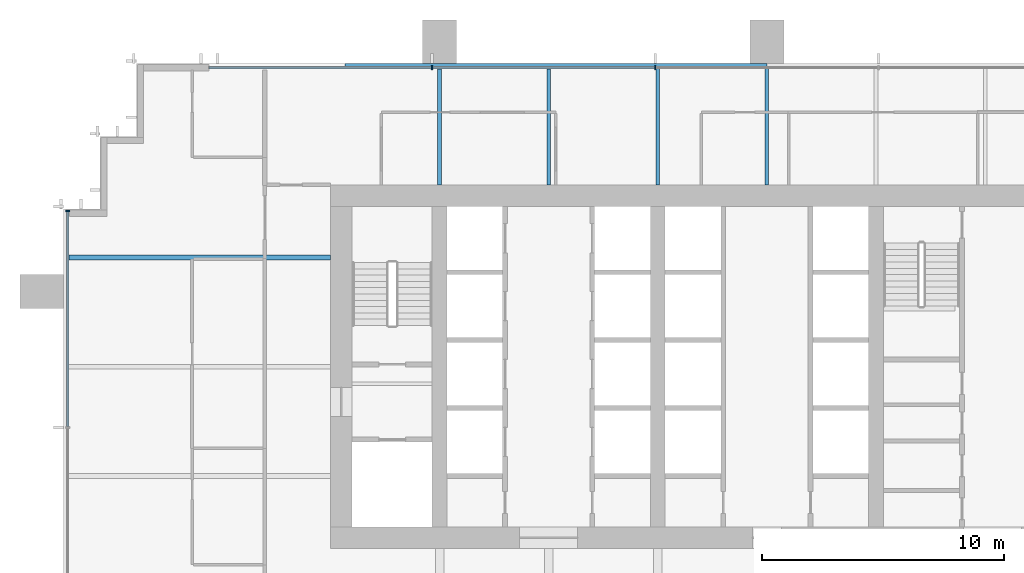
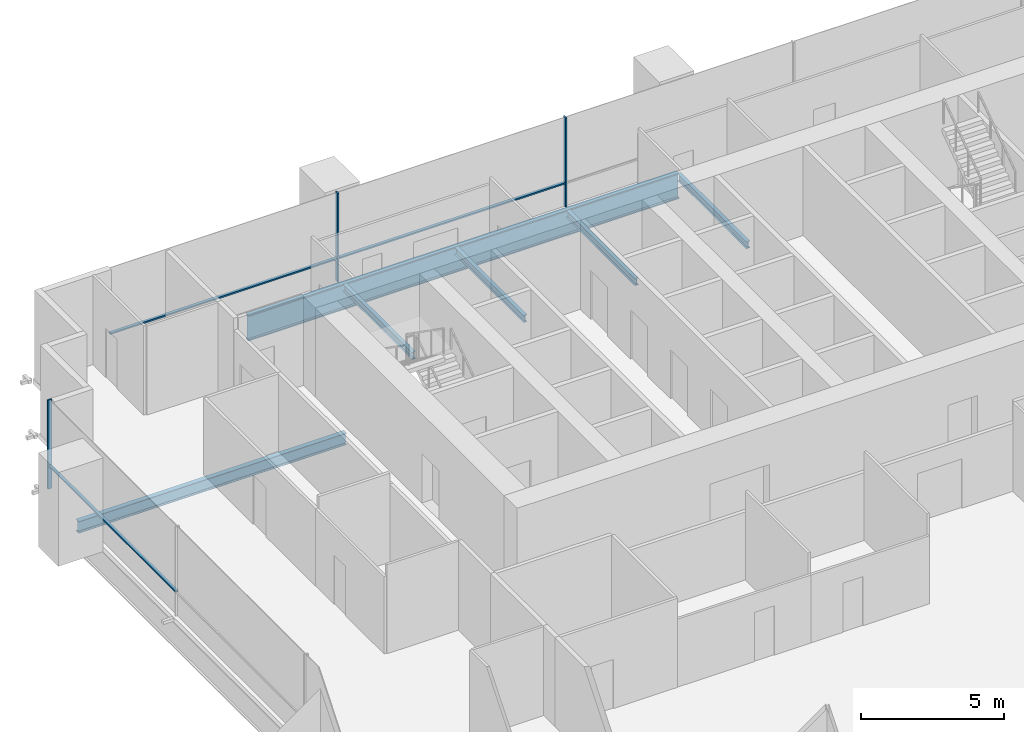
# One storey, part 7 of 16: 6 beams, 6 members, 2 elements without a shape of their own.
"""IFC4 building model written with IfcOpenShell, lengths in metres."""

from ifc_helpers import new_model, si_unit, direction, frame, origin, origin_2d, place, context, subcontext, project, spatial, rectangle, i_section, extrude, material, material_profile, profile_set, type_object, element, aggregate, save


model = new_model("IFC4")

# Units and contexts
model_context = context("Model", 3, precision=1e-05, world=origin(), true_north=direction((0.0, 1.0)))
body_context = subcontext(model_context, "Body", "Model", "MODEL_VIEW")
ifc_project = project(units=[si_unit("LENGTHUNIT", "METRE"), si_unit("AREAUNIT", "SQUARE_METRE"), si_unit("VOLUMEUNIT", "CUBIC_METRE"), si_unit("PLANEANGLEUNIT", "RADIAN"), si_unit("MASSUNIT", "GRAM", prefix="KILO")], contexts=[model_context])

# Site, building, storey
site_placement = place(None, origin())
site = spatial("IfcSite", under=ifc_project, at=site_placement, CompositionType="ELEMENT")
building_placement = place(site_placement, origin())
building = spatial("IfcBuilding", under=site, at=building_placement, Name="Rattan Terrace Tower", CompositionType="ELEMENT")
storey_placement = place(building_placement, frame((0.0, 0.0, 130.10009765625)))
storey = spatial("IfcBuildingStorey", under=building, at=storey_placement, Name="L29", CompositionType="ELEMENT", Elevation=130.10009765625)

# Curtain wall, members
ifc_material_1 = material(Name="Aluminium and glass", Category="aluminium")
curtain_wall_type = type_object("IfcCurtainWallType", Name="Facade Unitised Curtain Wall", PredefinedType="NOTDEFINED", material=ifc_material_1)
curtain_wall_1_placement = place(storey_placement, origin())
curtain_wall_1 = element("IfcCurtainWall", 1, at=curtain_wall_1_placement, inside=storey, type_object=curtain_wall_type, Name="Curtain wall L29-2", PredefinedType="NOTDEFINED")
ifc_material_2 = material(Name="Aluminium", Category="aluminium")
ifc_material_profile_1 = material_profile(ifc_material_2, rectangle(XDim=0.06005859375, YDim=0.159912109375, at=origin_2d()), Name="Aluminium 60x160")
ifc_profile_set_1 = profile_set([ifc_material_profile_1], Name="Aluminium")
member_type_1 = type_object("IfcMemberType", Name="Facade CW Mullion 60x160", PredefinedType="MULLION", material=ifc_profile_set_1)
member_1_placement = place(storey_placement, frame((-4.60302734375, 12.330078125, 0.0), z_axis=(0.0, 0.0, 1.0), x_axis=(-1.0, 0.0, 0.0)))
member_1 = element("IfcMember", 2, at=member_1_placement, type_object=member_type_1, Name="Mullion cwl-L29-002.4", PredefinedType="MULLION", context=body_context, shape_type="SweptSolid", body=[
    extrude(rectangle(XDim=0.06005859375, YDim=0.159912109375, at=origin_2d()), origin(), (0.0, 0.0, 1.0), 3.7998046875),
])
member_2_placement = place(storey_placement, frame((-13.803955078125, 12.330078125, 0.0), z_axis=(0.0, 0.0, 1.0), x_axis=(-1.0, 0.0, 0.0)))
member_2 = element("IfcMember", 3, at=member_2_placement, type_object=member_type_1, Name="Mullion cwl-L29-002.5", PredefinedType="MULLION", context=body_context, shape_type="SweptSolid", body=[
    extrude(rectangle(XDim=0.06005859375, YDim=0.159912109375, at=origin_2d()), origin(), (0.0, 0.0, 1.0), 3.7998046875),
])

# Curtain wall, member
curtain_wall_2_placement = place(storey_placement, origin())
curtain_wall_2 = element("IfcCurtainWall", 4, at=curtain_wall_2_placement, inside=storey, type_object=curtain_wall_type, Name="Curtain wall L29-3", PredefinedType="NOTDEFINED")
member_3_placement = place(storey_placement, frame((-28.830078125, 6.425048828125, 0.0), z_axis=(0.0, 0.0, 1.0), x_axis=(0.0, -1.0, 0.0)))
member_3 = element("IfcMember", 5, at=member_3_placement, type_object=member_type_1, Name="Mullion cwl-L29-003.1", PredefinedType="MULLION", context=body_context, shape_type="SweptSolid", body=[
    extrude(rectangle(XDim=0.06005859375, YDim=0.159912109375, at=origin_2d()), origin(), (0.0, 0.0, 1.0), 3.7998046875),
])

# Member
ifc_material_3 = material(Name="Aluminium", Category="aluminium")
ifc_material_profile_2 = material_profile(ifc_material_3, rectangle(XDim=0.1201171875, YDim=0.06005859375, at=origin_2d()), Name="Aluminium 120x60")
ifc_profile_set_2 = profile_set([ifc_material_profile_2], Name="Aluminium")
member_type_2 = type_object("IfcMemberType", Name="Facade CW Transom 120x60", PredefinedType="USERDEFINED", material=ifc_profile_set_2)
member_4_placement = place(storey_placement, frame((-4.633056640625, 12.330078125, 1.0), z_axis=(-1.0, 0.0, 0.0), x_axis=(0.0, -1.0, 0.0)))
member_4 = element("IfcMember", 6, at=member_4_placement, type_object=member_type_2, Name="Transom cwl-L29-002.4", ObjectType="TRANSOM", PredefinedType="USERDEFINED", context=body_context, shape_type="SweptSolid", body=[
    extrude(rectangle(XDim=0.1201171875, YDim=0.06005859375, at=origin_2d()), origin(), (0.0, 0.0, 1.0), 9.140869140625),
])

member_5_placement = place(storey_placement, frame((-13.833984375, 12.330078125, 1.0), z_axis=(-1.0, 0.0, 0.0), x_axis=(0.0, -1.0, 0.0)))
member_5 = element("IfcMember", 7, at=member_5_placement, type_object=member_type_2, Name="Transom cwl-L29-002.5", ObjectType="TRANSOM", PredefinedType="USERDEFINED", context=body_context, shape_type="SweptSolid", body=[
    extrude(rectangle(XDim=0.1201171875, YDim=0.06005859375, at=origin_2d()), origin(), (0.0, 0.0, 1.0), 9.166015625),
])

aggregate(curtain_wall_1, [member_1, member_2, member_4, member_5])

member_6_placement = place(storey_placement, frame((-28.830078125, 6.39501953125, 1.0), z_axis=(0.0, -1.0, 0.0), x_axis=(1.0, 0.0, 0.0)))
member_6 = element("IfcMember", 8, at=member_6_placement, type_object=member_type_2, Name="Transom cwl-L29-003.1", ObjectType="TRANSOM", PredefinedType="USERDEFINED", context=body_context, shape_type="SweptSolid", body=[
    extrude(rectangle(XDim=0.1201171875, YDim=0.06005859375, at=origin_2d()), origin(), (0.0, 0.0, 1.0), 8.864990234375),
])

aggregate(curtain_wall_2, [member_3, member_6])

# Beams
ifc_material_4 = material(Name="Steel S460", Category="steel")
ifc_material_profile_3 = material_profile(ifc_material_4, i_section(OverallWidth=0.179931640625, OverallDepth=1.10009765625, WebThickness=0.01611328125, FlangeThickness=0.050048828125, at=origin_2d()), Name="PG 1100x180-16-50")
ifc_profile_set_3 = profile_set([ifc_material_profile_3], Name="Steel S460")
beam_type_1 = type_object("IfcBeamType", Name="Frame edge girder PG 1100x180-16-50", PredefinedType="SPANDREL", material=ifc_profile_set_3)
beam_1_placement = place(storey_placement, frame((-17.39990234375, 12.409912109375, -0.75), z_axis=(1.0, 0.0, 0.0), x_axis=(0.0, 1.0, 0.0)))
element("IfcBeam", 9, at=beam_1_placement, inside=storey, type_object=beam_type_1, Name="gdr-L29-005", PredefinedType="SPANDREL", context=body_context, shape_type="SweptSolid", body=[
    extrude(i_section(OverallWidth=0.179931640625, OverallDepth=1.10009765625, WebThickness=0.01611328125, FlangeThickness=0.050048828125, at=origin_2d()), origin(), (0.0, 0.0, 1.0), 17.39990234375),
])
ifc_material_5 = material(Name="Steel S355", Category="steel")
ifc_material_profile_4 = material_profile(ifc_material_5, i_section(OverallWidth=0.14990234375, OverallDepth=0.300048828125, WebThickness=0.007080078125, FlangeThickness=0.0107421875, FilletRadius=0.014892578125, at=origin_2d()), Name="IPE 300")
ifc_profile_set_4 = profile_set([ifc_material_profile_4], Name="Steel S355")
beam_type_2 = type_object("IfcBeamType", Name="Frame floor beam IPE 300", PredefinedType="JOIST", material=ifc_profile_set_4)
for number, where, z_axis, x_axis, name in (
    (10, (-13.5, 7.5, -0.35009765625), (0.0, 1.0, 0.0), (-1.0, 0.0, 0.0), "bm-L29-016"),
    (11, (-9.0, 7.5, -0.35009765625), (0.0, 1.0, 0.0), (-1.0, 0.0, 0.0), "bm-L29-017"),
    (12, (-4.5, 7.5, -0.35009765625), (0.0, 1.0, 0.0), (-1.0, 0.0, 0.0), "bm-L29-018"),
    (13, (0.0, 7.5, -0.35009765625), (0.0, 1.0, 0.0), (-1.0, 0.0, 0.0), "bm-L29-019"),
):
    element("IfcBeam", number, at=place(storey_placement, frame(where, z_axis=z_axis, x_axis=x_axis)), inside=storey, type_object=beam_type_2, Name=name, PredefinedType="JOIST", context=body_context, shape_type="SweptSolid", body=[
        extrude(i_section(OverallWidth=0.14990234375, OverallDepth=0.300048828125, WebThickness=0.007080078125, FlangeThickness=0.0107421875, FilletRadius=0.014892578125, at=origin_2d()), origin(), (0.0, 0.0, 1.0), 4.820068359375),
    ])
ifc_material_6 = material(Name="Steel S355", Category="steel")
ifc_material_profile_5 = material_profile(ifc_material_6, i_section(OverallWidth=0.199951171875, OverallDepth=0.5, WebThickness=0.01025390625, FlangeThickness=0.01611328125, FilletRadius=0.02099609375, at=origin_2d()), Name="IPE 500")
ifc_profile_set_5 = profile_set([ifc_material_profile_5], Name="Steel S355")
beam_type_3 = type_object("IfcBeamType", Name="Frame floor beam IPE 500", PredefinedType="JOIST", material=ifc_profile_set_5)
beam_2_placement = place(storey_placement, frame((-28.820068359375, 4.5, -0.4501953125), z_axis=(1.0, 0.0, 0.0), x_axis=(0.0, 1.0, 0.0)))
element("IfcBeam", 14, at=beam_2_placement, inside=storey, type_object=beam_type_3, Name="bm-L29-014", PredefinedType="JOIST", context=body_context, shape_type="SweptSolid", body=[
    extrude(i_section(OverallWidth=0.199951171875, OverallDepth=0.5, WebThickness=0.01025390625, FlangeThickness=0.01611328125, FilletRadius=0.02099609375, at=origin_2d()), origin(), (0.0, 0.0, 1.0), 10.820068359375),
])

save(model, "model.ifc")
